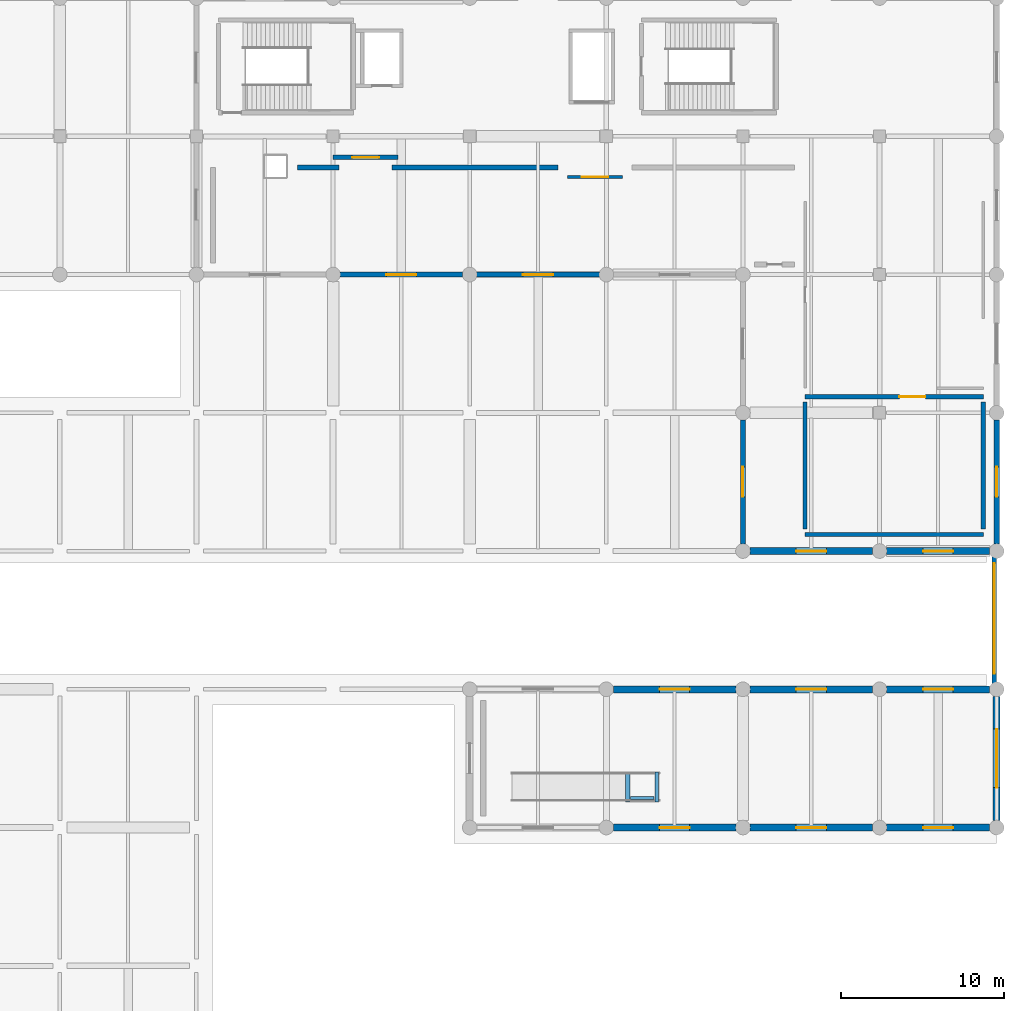
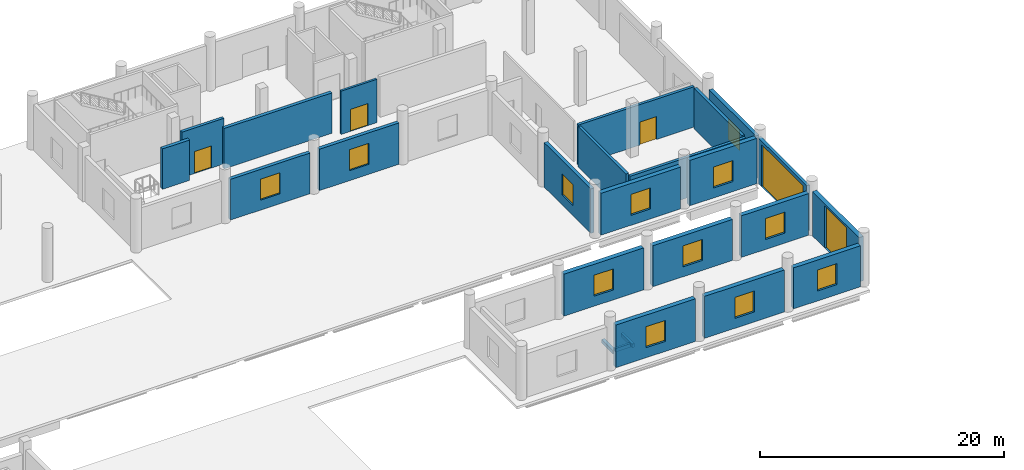
# One storey, part 94 of 107: 25 walls, 12 windows, 5 doors, 17 openings.
"""IFC4 building model written with IfcOpenShell, lengths in metres."""

from ifc_helpers import new_model, si_unit, direction, frame, frame_2d, origin, place, context, subcontext, project, spatial, rectangle, extrude, material, layer, layer_set, type_object, element, fill, save


model = new_model("IFC4")

# Units and contexts
model_context = context("Model", 3, precision=1e-05, world=origin(), true_north=direction((0.0, 1.0)))
body_context = subcontext(model_context, "Body", "Model", "MODEL_VIEW")
ifc_project = project(units=[si_unit("LENGTHUNIT", "METRE"), si_unit("AREAUNIT", "SQUARE_METRE"), si_unit("VOLUMEUNIT", "CUBIC_METRE"), si_unit("PLANEANGLEUNIT", "RADIAN"), si_unit("MASSUNIT", "GRAM", prefix="KILO")], contexts=[model_context])

# Site, building, storey
site_placement = place(None, origin())
site = spatial("IfcSite", under=ifc_project, at=site_placement, CompositionType="ELEMENT")
building_placement = place(site_placement, origin())
building = spatial("IfcBuilding", under=site, at=building_placement, Name="Solvento Point Concert Hall", CompositionType="ELEMENT")
storey_placement = place(building_placement, origin())
storey = spatial("IfcBuildingStorey", under=building, at=storey_placement, Name="L00", CompositionType="ELEMENT", Elevation=0.0)

# Wall, opening, door
ifc_material_1 = material(Name="Acoustic Double-Stud Gypsum Partition")
ifc_layer_1 = layer(ifc_material_1, 0.2080078125)
ifc_layer_set_1 = layer_set([ifc_layer_1], Name="Acoustic Double-Stud Gypsum Partition")
wall_type_1 = type_object("IfcWallType", Name="AcousticPartition_208", PredefinedType="PARTITIONING", material=ifc_layer_set_1)
wall_1_placement = place(storey_placement, frame((189.60009765625, 125.0, 0.0), z_axis=(0.0, 0.0, 1.0), x_axis=(1.0, 0.0, 0.0)))
wall_1 = element("IfcWall", 1, at=wall_1_placement, inside=storey, type_object=wall_type_1, Name="Lift lobby partition LG-02 L00", PredefinedType="PARTITIONING", context=body_context, shape_type="SweptSolid", body=[
    extrude(rectangle(XDim=3.39990234375, YDim=0.2080078125, at=frame_2d((1.699951171875, 0.0))), origin(), (0.0, 0.0, 1.0), 4.333984375),
])
opening_1_placement = place(wall_1_placement, frame((0.875, 0.0, 0.0)))
opening_1 = element("IfcOpeningElement", 2, at=opening_1_placement, cuts=wall_1, Name="Opening D-FL1", PredefinedType="OPENING", context=body_context, shape_type="SweptSolid", body=[
    extrude(rectangle(XDim=1.64990234375, YDim=2.199951171875, at=frame_2d((0.824951171875, 1.10009765625))), frame((0.0, 0.114013671875, 0.0), z_axis=(0.0, -1.0, 0.0), x_axis=(1.0, 0.0, 0.0)), (0.0, 0.0, 1.0), 0.22802734375),
])
ifc_material_2 = material(Name="Hollow Metal Acoustic Fire Door")
door_type_1 = type_object("IfcDoorType", Name="FireLobbyDoor_1600", OperationType="DOUBLE_DOOR_SINGLE_SWING", PredefinedType="DOOR", material=ifc_material_2)
door_1_placement = place(opening_1_placement, origin())
door_1 = element("IfcDoor", 3, at=door_1_placement, inside=storey, type_object=door_type_1, Name="Lift lobby door LG-02 L00", OperationType="DOUBLE_DOOR_SINGLE_SWING", OverallHeight=2.199951171875, OverallWidth=1.64990234375, PredefinedType="DOOR", context=body_context, shape_type="SweptSolid", body=[
    extrude(rectangle(XDim=1.64990234375, YDim=2.199951171875, at=frame_2d((0.824951171875, 1.10009765625))), frame((0.0, 0.02490234375, 0.0), z_axis=(0.0, -1.0, 0.0), x_axis=(1.0, 0.0, 0.0)), (0.0, 0.0, 1.0), 0.050048828125),
])
fill(opening_1, door_1)

ifc_material_3 = material(Name="Acoustic Double-Stud Gypsum Partition")
ifc_layer_2 = layer(ifc_material_3, 0.264892578125)
ifc_layer_set_2 = layer_set([ifc_layer_2], Name="Acoustic Double-Stud Gypsum Partition")
wall_type_2 = type_object("IfcWallType", Name="AcousticPartition_265", PredefinedType="PARTITIONING", material=ifc_layer_set_2)
wall_2_placement = place(storey_placement, frame((204.219970703125, 111.47998046875, 0.0), z_axis=(0.0, 0.0, 1.0), x_axis=(1.0, 0.0, 0.0)))
wall_2 = element("IfcWall", 4, at=wall_2_placement, inside=storey, type_object=wall_type_2, Name="Interior acoustic partition PW-68 L00", PredefinedType="PARTITIONING", context=body_context, shape_type="SweptSolid", body=[
    extrude(rectangle(XDim=10.9599609375, YDim=0.264892578125, at=frame_2d((5.47998046875, 0.0))), origin(), (0.0, 0.0, 1.0), 4.0400390625),
])
opening_2_placement = place(wall_2_placement, frame((5.80322265625, 0.0, 0.0)))
opening_2 = element("IfcOpeningElement", 5, at=opening_2_placement, cuts=wall_2, Name="Opening DR-40", PredefinedType="OPENING", context=body_context, shape_type="SweptSolid", body=[
    extrude(rectangle(XDim=1.60009765625, YDim=2.300048828125, at=frame_2d((0.800048828125, 1.14990234375))), frame((0.0, 0.142333984375, 0.0), z_axis=(0.0, -1.0, 0.0), x_axis=(1.0, 0.0, 0.0)), (0.0, 0.0, 1.0), 0.284912109375),
])
ifc_material_4 = material(Name="Brazilian Hardwood Acoustic Door", Category="wood")
door_type_2 = type_object("IfcDoorType", Name="IntDoor_ArchiveFD90", OperationType="NOTDEFINED", PredefinedType="DOOR", material=ifc_material_4)
door_2_placement = place(opening_2_placement, origin())
door_2 = element("IfcDoor", 6, at=door_2_placement, inside=storey, type_object=door_type_2, Name="Interior door DR-40 L00", OperationType="SINGLE_SWING_RIGHT", OverallHeight=2.300048828125, OverallWidth=1.60009765625, PredefinedType="DOOR", context=body_context, shape_type="SweptSolid", body=[
    extrude(rectangle(XDim=1.60009765625, YDim=2.300048828125, at=frame_2d((0.800048828125, 1.14990234375))), frame((0.0, 0.02490234375, 0.0), z_axis=(0.0, -1.0, 0.0), x_axis=(1.0, 0.0, 0.0)), (0.0, 0.0, 1.0), 0.050048828125),
])
fill(opening_2, door_2)

# Walls
wall_3_placement = place(storey_placement, frame((215.179931640625, 103.02001953125, 0.0), z_axis=(0.0, 0.0, 1.0), x_axis=(-1.0, 0.0, 0.0)))
element("IfcWall", 7, at=wall_3_placement, inside=storey, type_object=wall_type_2, Name="Interior acoustic partition PW-68 L00", PredefinedType="PARTITIONING", context=body_context, shape_type="SweptSolid", body=[
    extrude(rectangle(XDim=10.9599609375, YDim=0.264892578125, at=frame_2d((5.47998046875, 0.0))), origin(), (0.0, 0.0, 1.0), 4.0400390625),
])
for number, where, z_axis, x_axis, name in (
    (8, (215.179931640625, 111.159912109375, 0.0), (0.0, 0.0, 1.0), (0.0, -1.0, 0.0), "Interior acoustic partition PW-68 L00"),
    (9, (204.219970703125, 103.340087890625, 0.0), (0.0, 0.0, 1.0), (0.0, 1.0, 0.0), "Interior acoustic partition PW-68 L00"),
):
    element("IfcWall", number, at=place(storey_placement, frame(where, z_axis=z_axis, x_axis=x_axis)), inside=storey, type_object=wall_type_2, Name=name, PredefinedType="PARTITIONING", context=body_context, shape_type="SweptSolid", body=[
        extrude(rectangle(XDim=7.81982421875, YDim=0.264892578125, at=frame_2d((3.909912109375, 0.0))), origin(), (0.0, 0.0, 1.0), 4.0400390625),
    ])
ifc_material_5 = material(Name="Acoustic Double-Stud Gypsum Partition")
ifc_layer_3 = layer(ifc_material_5, 0.31494140625)
ifc_layer_set_3 = layer_set([ifc_layer_3], Name="Acoustic Double-Stud Gypsum Partition")
wall_type_3 = type_object("IfcWallType", Name="AcousticPartition_315", PredefinedType="PARTITIONING", material=ifc_layer_set_3)
wall_4_placement = place(storey_placement, frame((173.0, 125.580078125, 0.0), z_axis=(0.0, 0.0, 1.0), x_axis=(1.0, 0.0, 0.0)))
element("IfcWall", 10, at=wall_4_placement, inside=storey, type_object=wall_type_3, Name="Interior acoustic partition PW-18 L00", PredefinedType="PARTITIONING", context=body_context, shape_type="SweptSolid", body=[
    extrude(rectangle(XDim=2.5654296875, YDim=0.31494140625, at=frame_2d((1.28271484375, 0.0))), origin(), (0.0, 0.0, 1.0), 4.0400390625),
])
wall_5_placement = place(storey_placement, frame((178.834716796875, 125.580078125, 0.0), z_axis=(0.0, 0.0, 1.0), x_axis=(1.0, 0.0, 0.0)))
element("IfcWall", 11, at=wall_5_placement, inside=storey, type_object=wall_type_3, Name="Interior acoustic partition PW-18 L00", PredefinedType="PARTITIONING", context=body_context, shape_type="SweptSolid", body=[
    extrude(rectangle(XDim=10.1953125, YDim=0.31494140625, at=frame_2d((5.09765625, 0.0))), origin(), (0.0, 0.0, 1.0), 4.0400390625),
])
ifc_material_6 = material(Name="Concrete C40/50", Category="concrete")
ifc_layer_4 = layer(ifc_material_6, 0.300048828125)
ifc_layer_set_4 = layer_set([ifc_layer_4], Name="Concrete C40/50")
wall_type_4 = type_object("IfcWallType", Name="CoreShearWall_300", PredefinedType="SHEAR", material=ifc_layer_set_4)
wall_6_placement = place(storey_placement, frame((193.320068359375, 86.580078125, 0.0), z_axis=(0.0, 0.0, 1.0), x_axis=(0.0, 1.0, 0.0)))
element("IfcWall", 12, at=wall_6_placement, inside=storey, type_object=wall_type_4, Name="Ramp landing stem wall W-SH1 RMP-H4", PredefinedType="SHEAR", context=body_context, shape_type="SweptSolid", body=[
    extrude(rectangle(XDim=1.83984375, YDim=0.280029296875, at=frame_2d((0.919921875, 0.0))), origin(), (0.0, 0.0, 1.0), 0.3701171875),
])
wall_7_placement = place(storey_placement, frame((195.110107421875, 86.580078125, 0.0), z_axis=(0.0, 0.0, 1.0), x_axis=(0.0, 1.0, 0.0)))
element("IfcWall", 13, at=wall_7_placement, inside=storey, type_object=wall_type_4, Name="Ramp landing stem wall W-SH1 RMP-H4", PredefinedType="SHEAR", context=body_context, shape_type="SweptSolid", body=[
    extrude(rectangle(XDim=1.83984375, YDim=0.219970703125, at=frame_2d((0.919921875, 0.0))), origin(), (0.0, 0.0, 1.0), 0.3701171875),
])
wall_8_placement = place(storey_placement, frame((193.5, 86.820068359375, 0.0), z_axis=(0.0, 0.0, 1.0), x_axis=(1.0, 0.0, 0.0)))
element("IfcWall", 14, at=wall_8_placement, inside=storey, type_object=wall_type_4, Name="Ramp landing stem wall W-SH1 RMP-H4", PredefinedType="SHEAR", context=body_context, shape_type="SweptSolid", body=[
    extrude(rectangle(XDim=1.429931640625, YDim=0.199951171875, at=frame_2d((0.71484375, 0.0))), origin(), (0.0, 0.0, 1.0), 0.3701171875),
])

# Wall, opening, door
ifc_material_7 = material(Name="Concrete C40/50", Category="concrete")
ifc_layer_5 = layer(ifc_material_7, 0.35009765625)
ifc_layer_set_5 = layer_set([ifc_layer_5], Name="Concrete C40/50")
wall_type_5 = type_object("IfcWallType", Name="CoreShearWall_350", PredefinedType="SHEAR", material=ifc_layer_set_5)
wall_9_placement = place(storey_placement, frame((175.199951171875, 126.199951171875, 0.0), z_axis=(0.0, 0.0, 1.0), x_axis=(1.0, 0.0, 0.0)))
wall_9 = element("IfcWall", 15, at=wall_9_placement, inside=storey, type_object=wall_type_5, Name="Firefighting lift lobby wall LF-01 L00", PredefinedType="SHEAR", context=body_context, shape_type="SweptSolid", body=[
    extrude(rectangle(XDim=4.0, YDim=0.280029296875, at=frame_2d((2.0, 0.0))), origin(), (0.0, 0.0, 1.0), 4.554931640625),
])
opening_3_placement = place(wall_9_placement, frame((1.175048828125, 0.0, 0.0)))
opening_3 = element("IfcOpeningElement", 16, at=opening_3_placement, cuts=wall_9, Name="Opening D-FL1", PredefinedType="OPENING", context=body_context, shape_type="SweptSolid", body=[
    extrude(rectangle(XDim=1.64990234375, YDim=2.199951171875, at=frame_2d((0.824951171875, 1.10009765625))), frame((0.0, 0.14990234375, 0.0), z_axis=(0.0, -1.0, 0.0), x_axis=(1.0, 0.0, 0.0)), (0.0, 0.0, 1.0), 0.300048828125),
])
door_3_placement = place(opening_3_placement, origin())
door_3 = element("IfcDoor", 17, at=door_3_placement, inside=storey, type_object=door_type_1, Name="Firefighting lobby door LF-01 L00", OperationType="DOUBLE_DOOR_SINGLE_SWING", OverallHeight=2.199951171875, OverallWidth=1.64990234375, PredefinedType="DOOR", context=body_context, shape_type="SweptSolid", body=[
    extrude(rectangle(XDim=1.64990234375, YDim=2.199951171875, at=frame_2d((0.824951171875, 1.10009765625))), frame((0.0, 0.02490234375, 0.0), z_axis=(0.0, -1.0, 0.0), x_axis=(1.0, 0.0, 0.0)), (0.0, 0.0, 1.0), 0.050048828125),
])
fill(opening_3, door_3)

# Wall, opening, window
ifc_material_8 = material(Name="Concrete C35/45", Category="concrete")
ifc_layer_6 = layer(ifc_material_8, 0.429931640625)
ifc_layer_set_6 = layer_set([ifc_layer_6], Name="Concrete C35/45")
wall_type_6 = type_object("IfcWallType", Name="ExtWall_V5_Dock_430", PredefinedType="SOLIDWALL", material=ifc_layer_set_6)
wall_10_placement = place(storey_placement, frame((192.429931640625, 93.5, 0.0), z_axis=(0.0, 0.0, 1.0), x_axis=(1.0, 0.0, 0.0)))
wall_10 = element("IfcWall", 18, at=wall_10_placement, inside=storey, type_object=wall_type_6, Name="Exterior architectural concrete wall EW-11 L00", PredefinedType="SOLIDWALL", context=body_context, shape_type="SweptSolid", body=[
    extrude(rectangle(XDim=7.5400390625, YDim=0.429931640625, at=frame_2d((3.77001953125, 0.0))), origin(), (0.0, 0.0, 1.0), 4.197021484375),
])
opening_4_placement = place(wall_10_placement, frame((2.844970703125, 0.0, 1.0)))
opening_4 = element("IfcOpeningElement", 19, at=opening_4_placement, cuts=wall_10, Name="Opening WN-36", PredefinedType="OPENING", context=body_context, shape_type="SweptSolid", body=[
    extrude(rectangle(XDim=1.85009765625, YDim=2.10009765625, at=frame_2d((0.925048828125, 1.050048828125))), frame((0.0, 0.224853515625, 0.0), z_axis=(0.0, -1.0, 0.0), x_axis=(1.0, 0.0, 0.0)), (0.0, 0.0, 1.0), 0.449951171875),
])
ifc_material_9 = material(Name="Hurricane Laminated Low-E Glass", Category="glass")
window_type = type_object("IfcWindowType", Name="Win_V5_Workshop_L00", PartitioningType="SINGLE_PANEL", PredefinedType="WINDOW", material=ifc_material_9)
window_1_placement = place(opening_4_placement, origin())
window_1 = element("IfcWindow", 20, at=window_1_placement, inside=storey, type_object=window_type, Name="Impact acoustic window WN-36", OverallHeight=2.10009765625, OverallWidth=1.85009765625, PartitioningType="SINGLE_PANEL", PredefinedType="WINDOW", context=body_context, shape_type="SweptSolid", body=[
    extrude(rectangle(XDim=1.85009765625, YDim=2.10009765625, at=frame_2d((0.925048828125, 1.050048828125))), frame((0.0, 0.030029296875, 0.0), z_axis=(0.0, -1.0, 0.0), x_axis=(1.0, 0.0, 0.0)), (0.0, 0.0, 1.0), 0.06005859375),
])
fill(opening_4, window_1)

wall_11_placement = place(storey_placement, frame((200.830078125, 93.5, 0.0), z_axis=(0.0, 0.0, 1.0), x_axis=(1.0, 0.0, 0.0)))
wall_11 = element("IfcWall", 21, at=wall_11_placement, inside=storey, type_object=wall_type_6, Name="Exterior architectural concrete wall EW-11 L00", PredefinedType="SOLIDWALL", context=body_context, shape_type="SweptSolid", body=[
    extrude(rectangle(XDim=7.5400390625, YDim=0.429931640625, at=frame_2d((3.77001953125, 0.0))), origin(), (0.0, 0.0, 1.0), 4.097900390625),
])
opening_5_placement = place(wall_11_placement, frame((2.844970703125, 0.0, 1.0)))
opening_5 = element("IfcOpeningElement", 22, at=opening_5_placement, cuts=wall_11, Name="Opening WN-36", PredefinedType="OPENING", context=body_context, shape_type="SweptSolid", body=[
    extrude(rectangle(XDim=1.85009765625, YDim=2.10009765625, at=frame_2d((0.925048828125, 1.050048828125))), frame((0.0, 0.224853515625, 0.0), z_axis=(0.0, -1.0, 0.0), x_axis=(1.0, 0.0, 0.0)), (0.0, 0.0, 1.0), 0.449951171875),
])
window_2_placement = place(opening_5_placement, origin())
window_2 = element("IfcWindow", 23, at=window_2_placement, inside=storey, type_object=window_type, Name="Impact acoustic window WN-36", OverallHeight=2.10009765625, OverallWidth=1.85009765625, PartitioningType="SINGLE_PANEL", PredefinedType="WINDOW", context=body_context, shape_type="SweptSolid", body=[
    extrude(rectangle(XDim=1.85009765625, YDim=2.10009765625, at=frame_2d((0.925048828125, 1.050048828125))), frame((0.0, 0.030029296875, 0.0), z_axis=(0.0, -1.0, 0.0), x_axis=(1.0, 0.0, 0.0)), (0.0, 0.0, 1.0), 0.06005859375),
])
fill(opening_5, window_2)

wall_12_placement = place(storey_placement, frame((209.22998046875, 93.5, 0.0), z_axis=(0.0, 0.0, 1.0), x_axis=(1.0, 0.0, 0.0)))
wall_12 = element("IfcWall", 24, at=wall_12_placement, inside=storey, type_object=wall_type_6, Name="Exterior architectural concrete wall EW-11 L00", PredefinedType="SOLIDWALL", context=body_context, shape_type="SweptSolid", body=[
    extrude(rectangle(XDim=6.340087890625, YDim=0.429931640625, at=frame_2d((3.169921875, 0.0))), origin(), (0.0, 0.0, 1.0), 4.1640625),
])
opening_6_placement = place(wall_12_placement, frame((2.2451171875, 0.0, 1.0)))
opening_6 = element("IfcOpeningElement", 25, at=opening_6_placement, cuts=wall_12, Name="Opening WN-36", PredefinedType="OPENING", context=body_context, shape_type="SweptSolid", body=[
    extrude(rectangle(XDim=1.85009765625, YDim=2.10009765625, at=frame_2d((0.925048828125, 1.050048828125))), frame((0.0, 0.224853515625, 0.0), z_axis=(0.0, -1.0, 0.0), x_axis=(1.0, 0.0, 0.0)), (0.0, 0.0, 1.0), 0.449951171875),
])
window_3_placement = place(opening_6_placement, origin())
window_3 = element("IfcWindow", 26, at=window_3_placement, inside=storey, type_object=window_type, Name="Impact acoustic window WN-36", OverallHeight=2.10009765625, OverallWidth=1.85009765625, PartitioningType="SINGLE_PANEL", PredefinedType="WINDOW", context=body_context, shape_type="SweptSolid", body=[
    extrude(rectangle(XDim=1.85009765625, YDim=2.10009765625, at=frame_2d((0.925048828125, 1.050048828125))), frame((0.0, 0.030029296875, 0.0), z_axis=(0.0, -1.0, 0.0), x_axis=(1.0, 0.0, 0.0)), (0.0, 0.0, 1.0), 0.06005859375),
])
fill(opening_6, window_3)

# Wall, opening, door
wall_13_placement = place(storey_placement, frame((216.0, 93.070068359375, 0.0), z_axis=(0.0, 0.0, 1.0), x_axis=(0.0, -1.0, 0.0)))
wall_13 = element("IfcWall", 27, at=wall_13_placement, inside=storey, type_object=wall_type_6, Name="Exterior architectural concrete wall EW-11 L00", PredefinedType="SOLIDWALL", context=body_context, shape_type="SweptSolid", body=[
    extrude(rectangle(XDim=7.64013671875, YDim=0.429931640625, at=frame_2d((3.820068359375, 0.0))), origin(), (0.0, 0.0, 1.0), 4.430908203125),
])
opening_7_placement = place(wall_13_placement, frame((2.02001953125, 0.0, 0.0)))
opening_7 = element("IfcOpeningElement", 28, at=opening_7_placement, cuts=wall_13, Name="Opening LD-DCK1", PredefinedType="OPENING", context=body_context, shape_type="SweptSolid", body=[
    extrude(rectangle(XDim=3.60009765625, YDim=4.199951171875, at=frame_2d((1.800048828125, 2.10009765625))), frame((0.0, 0.224853515625, 0.0), z_axis=(0.0, -1.0, 0.0), x_axis=(1.0, 0.0, 0.0)), (0.0, 0.0, 1.0), 0.449951171875),
])
ifc_material_10 = material(Name="Hollow Metal Acoustic Fire Door")
door_type_3 = type_object("IfcDoorType", Name="DockShutter_DCK1", OperationType="ROLLINGUP", PredefinedType="DOOR", material=ifc_material_10)
door_4_placement = place(opening_7_placement, origin())
door_4 = element("IfcDoor", 29, at=door_4_placement, inside=storey, type_object=door_type_3, Name="Acoustic semi-truck loading dock roller shutter door", OperationType="ROLLINGUP", OverallHeight=4.199951171875, OverallWidth=3.60009765625, PredefinedType="DOOR", context=body_context, shape_type="SweptSolid", body=[
    extrude(rectangle(XDim=3.60009765625, YDim=4.199951171875, at=frame_2d((1.800048828125, 2.10009765625))), frame((0.0, 0.02490234375, 0.0), z_axis=(0.0, -1.0, 0.0), x_axis=(1.0, 0.0, 0.0)), (0.0, 0.0, 1.0), 0.050048828125),
])
fill(opening_7, door_4)

# Wall, opening, window
wall_14_placement = place(storey_placement, frame((199.969970703125, 85.0, 0.0), z_axis=(0.0, 0.0, 1.0), x_axis=(-1.0, 0.0, 0.0)))
wall_14 = element("IfcWall", 30, at=wall_14_placement, inside=storey, type_object=wall_type_6, Name="Exterior architectural concrete wall EW-11 L00", PredefinedType="SOLIDWALL", context=body_context, shape_type="SweptSolid", body=[
    extrude(rectangle(XDim=7.5400390625, YDim=0.429931640625, at=frame_2d((3.77001953125, 0.0))), origin(), (0.0, 0.0, 1.0), 4.264892578125),
])
opening_8_placement = place(wall_14_placement, frame((2.844970703125, 0.0, 1.0)))
opening_8 = element("IfcOpeningElement", 31, at=opening_8_placement, cuts=wall_14, Name="Opening WN-36", PredefinedType="OPENING", context=body_context, shape_type="SweptSolid", body=[
    extrude(rectangle(XDim=1.85009765625, YDim=2.10009765625, at=frame_2d((0.925048828125, 1.050048828125))), frame((0.0, 0.224853515625, 0.0), z_axis=(0.0, -1.0, 0.0), x_axis=(1.0, 0.0, 0.0)), (0.0, 0.0, 1.0), 0.449951171875),
])
window_4_placement = place(opening_8_placement, origin())
window_4 = element("IfcWindow", 32, at=window_4_placement, inside=storey, type_object=window_type, Name="Impact acoustic window WN-36", OverallHeight=2.10009765625, OverallWidth=1.85009765625, PartitioningType="SINGLE_PANEL", PredefinedType="WINDOW", context=body_context, shape_type="SweptSolid", body=[
    extrude(rectangle(XDim=1.85009765625, YDim=2.10009765625, at=frame_2d((0.925048828125, 1.050048828125))), frame((0.0, 0.030029296875, 0.0), z_axis=(0.0, -1.0, 0.0), x_axis=(1.0, 0.0, 0.0)), (0.0, 0.0, 1.0), 0.06005859375),
])
fill(opening_8, window_4)

wall_15_placement = place(storey_placement, frame((208.3701171875, 85.0, 0.0), z_axis=(0.0, 0.0, 1.0), x_axis=(-1.0, 0.0, 0.0)))
wall_15 = element("IfcWall", 33, at=wall_15_placement, inside=storey, type_object=wall_type_6, Name="Exterior architectural concrete wall EW-11 L00", PredefinedType="SOLIDWALL", context=body_context, shape_type="SweptSolid", body=[
    extrude(rectangle(XDim=7.5400390625, YDim=0.429931640625, at=frame_2d((3.77001953125, 0.0))), origin(), (0.0, 0.0, 1.0), 4.197021484375),
])
opening_9_placement = place(wall_15_placement, frame((2.844970703125, 0.0, 1.0)))
opening_9 = element("IfcOpeningElement", 34, at=opening_9_placement, cuts=wall_15, Name="Opening WN-36", PredefinedType="OPENING", context=body_context, shape_type="SweptSolid", body=[
    extrude(rectangle(XDim=1.85009765625, YDim=2.10009765625, at=frame_2d((0.925048828125, 1.050048828125))), frame((0.0, 0.224853515625, 0.0), z_axis=(0.0, -1.0, 0.0), x_axis=(1.0, 0.0, 0.0)), (0.0, 0.0, 1.0), 0.449951171875),
])
window_5_placement = place(opening_9_placement, origin())
window_5 = element("IfcWindow", 35, at=window_5_placement, inside=storey, type_object=window_type, Name="Impact acoustic window WN-36", OverallHeight=2.10009765625, OverallWidth=1.85009765625, PartitioningType="SINGLE_PANEL", PredefinedType="WINDOW", context=body_context, shape_type="SweptSolid", body=[
    extrude(rectangle(XDim=1.85009765625, YDim=2.10009765625, at=frame_2d((0.925048828125, 1.050048828125))), frame((0.0, 0.030029296875, 0.0), z_axis=(0.0, -1.0, 0.0), x_axis=(1.0, 0.0, 0.0)), (0.0, 0.0, 1.0), 0.06005859375),
])
fill(opening_9, window_5)

wall_16_placement = place(storey_placement, frame((215.570068359375, 85.0, 0.0), z_axis=(0.0, 0.0, 1.0), x_axis=(-1.0, 0.0, 0.0)))
wall_16 = element("IfcWall", 36, at=wall_16_placement, inside=storey, type_object=wall_type_6, Name="Exterior architectural concrete wall EW-11 L00", PredefinedType="SOLIDWALL", context=body_context, shape_type="SweptSolid", body=[
    extrude(rectangle(XDim=6.340087890625, YDim=0.429931640625, at=frame_2d((3.169921875, 0.0))), origin(), (0.0, 0.0, 1.0), 4.097900390625),
])
opening_10_placement = place(wall_16_placement, frame((2.2451171875, 0.0, 1.0)))
opening_10 = element("IfcOpeningElement", 37, at=opening_10_placement, cuts=wall_16, Name="Opening WN-36", PredefinedType="OPENING", context=body_context, shape_type="SweptSolid", body=[
    extrude(rectangle(XDim=1.85009765625, YDim=2.10009765625, at=frame_2d((0.925048828125, 1.050048828125))), frame((0.0, 0.224853515625, 0.0), z_axis=(0.0, -1.0, 0.0), x_axis=(1.0, 0.0, 0.0)), (0.0, 0.0, 1.0), 0.449951171875),
])
window_6_placement = place(opening_10_placement, origin())
window_6 = element("IfcWindow", 38, at=window_6_placement, inside=storey, type_object=window_type, Name="Impact acoustic window WN-36", OverallHeight=2.10009765625, OverallWidth=1.85009765625, PartitioningType="SINGLE_PANEL", PredefinedType="WINDOW", context=body_context, shape_type="SweptSolid", body=[
    extrude(rectangle(XDim=1.85009765625, YDim=2.10009765625, at=frame_2d((0.925048828125, 1.050048828125))), frame((0.0, 0.030029296875, 0.0), z_axis=(0.0, -1.0, 0.0), x_axis=(1.0, 0.0, 0.0)), (0.0, 0.0, 1.0), 0.06005859375),
])
fill(opening_10, window_6)

wall_17_placement = place(storey_placement, frame((208.3701171875, 102.0, 0.0), z_axis=(0.0, 0.0, 1.0), x_axis=(-1.0, 0.0, 0.0)))
wall_17 = element("IfcWall", 39, at=wall_17_placement, inside=storey, type_object=wall_type_6, Name="Exterior architectural concrete wall EW-11 L00", PredefinedType="SOLIDWALL", context=body_context, shape_type="SweptSolid", body=[
    extrude(rectangle(XDim=7.5400390625, YDim=0.429931640625, at=frame_2d((3.77001953125, 0.0))), origin(), (0.0, 0.0, 1.0), 4.18408203125),
])
opening_11_placement = place(wall_17_placement, frame((2.844970703125, 0.0, 1.0)))
opening_11 = element("IfcOpeningElement", 40, at=opening_11_placement, cuts=wall_17, Name="Opening WN-36", PredefinedType="OPENING", context=body_context, shape_type="SweptSolid", body=[
    extrude(rectangle(XDim=1.85009765625, YDim=2.10009765625, at=frame_2d((0.925048828125, 1.050048828125))), frame((0.0, 0.224853515625, 0.0), z_axis=(0.0, -1.0, 0.0), x_axis=(1.0, 0.0, 0.0)), (0.0, 0.0, 1.0), 0.449951171875),
])
window_7_placement = place(opening_11_placement, origin())
window_7 = element("IfcWindow", 41, at=window_7_placement, inside=storey, type_object=window_type, Name="Impact acoustic window WN-36", OverallHeight=2.10009765625, OverallWidth=1.85009765625, PartitioningType="SINGLE_PANEL", PredefinedType="WINDOW", context=body_context, shape_type="SweptSolid", body=[
    extrude(rectangle(XDim=1.85009765625, YDim=2.10009765625, at=frame_2d((0.925048828125, 1.050048828125))), frame((0.0, 0.030029296875, 0.0), z_axis=(0.0, -1.0, 0.0), x_axis=(1.0, 0.0, 0.0)), (0.0, 0.0, 1.0), 0.06005859375),
])
fill(opening_11, window_7)

wall_18_placement = place(storey_placement, frame((215.570068359375, 102.0, 0.0), z_axis=(0.0, 0.0, 1.0), x_axis=(-1.0, 0.0, 0.0)))
wall_18 = element("IfcWall", 42, at=wall_18_placement, inside=storey, type_object=wall_type_6, Name="Exterior architectural concrete wall EW-11 L00", PredefinedType="SOLIDWALL", context=body_context, shape_type="SweptSolid", body=[
    extrude(rectangle(XDim=6.340087890625, YDim=0.429931640625, at=frame_2d((3.169921875, 0.0))), origin(), (0.0, 0.0, 1.0), 4.535888671875),
])
opening_12_placement = place(wall_18_placement, frame((2.2451171875, 0.0, 1.0)))
opening_12 = element("IfcOpeningElement", 43, at=opening_12_placement, cuts=wall_18, Name="Opening WN-36", PredefinedType="OPENING", context=body_context, shape_type="SweptSolid", body=[
    extrude(rectangle(XDim=1.85009765625, YDim=2.10009765625, at=frame_2d((0.925048828125, 1.050048828125))), frame((0.0, 0.224853515625, 0.0), z_axis=(0.0, -1.0, 0.0), x_axis=(1.0, 0.0, 0.0)), (0.0, 0.0, 1.0), 0.449951171875),
])
window_8_placement = place(opening_12_placement, origin())
window_8 = element("IfcWindow", 44, at=window_8_placement, inside=storey, type_object=window_type, Name="Impact acoustic window WN-36", OverallHeight=2.10009765625, OverallWidth=1.85009765625, PartitioningType="SINGLE_PANEL", PredefinedType="WINDOW", context=body_context, shape_type="SweptSolid", body=[
    extrude(rectangle(XDim=1.85009765625, YDim=2.10009765625, at=frame_2d((0.925048828125, 1.050048828125))), frame((0.0, 0.030029296875, 0.0), z_axis=(0.0, -1.0, 0.0), x_axis=(1.0, 0.0, 0.0)), (0.0, 0.0, 1.0), 0.06005859375),
])
fill(opening_12, window_8)

ifc_material_11 = material(Name="Concrete C35/45", Category="concrete")
ifc_layer_7 = layer(ifc_material_11, 0.330078125)
ifc_layer_set_7 = layer_set([ifc_layer_7], Name="Concrete C35/45")
wall_type_7 = type_object("IfcWallType", Name="ExtWall_V5_Plinth_330", PredefinedType="SOLIDWALL", material=ifc_layer_set_7)
wall_19_placement = place(storey_placement, frame((216.0, 110.070068359375, 0.0), z_axis=(0.0, 0.0, 1.0), x_axis=(0.0, -1.0, 0.0)))
wall_19 = element("IfcWall", 45, at=wall_19_placement, inside=storey, type_object=wall_type_7, Name="Exterior architectural concrete wall EW-72 L00", PredefinedType="SOLIDWALL", context=body_context, shape_type="SweptSolid", body=[
    extrude(rectangle(XDim=7.64013671875, YDim=0.330078125, at=frame_2d((3.820068359375, 0.0))), origin(), (0.0, 0.0, 1.0), 4.284912109375),
])
opening_13_placement = place(wall_19_placement, frame((2.89501953125, 0.0, 1.0)))
opening_13 = element("IfcOpeningElement", 46, at=opening_13_placement, cuts=wall_19, Name="Opening WN-36", PredefinedType="OPENING", context=body_context, shape_type="SweptSolid", body=[
    extrude(rectangle(XDim=1.85009765625, YDim=2.10009765625, at=frame_2d((0.925048828125, 1.050048828125))), frame((0.0, 0.175048828125, 0.0), z_axis=(0.0, -1.0, 0.0), x_axis=(1.0, 0.0, 0.0)), (0.0, 0.0, 1.0), 0.35009765625),
])
window_9_placement = place(opening_13_placement, origin())
window_9 = element("IfcWindow", 47, at=window_9_placement, inside=storey, type_object=window_type, Name="Impact acoustic window WN-36", OverallHeight=2.10009765625, OverallWidth=1.85009765625, PartitioningType="SINGLE_PANEL", PredefinedType="WINDOW", context=body_context, shape_type="SweptSolid", body=[
    extrude(rectangle(XDim=1.85009765625, YDim=2.10009765625, at=frame_2d((0.925048828125, 1.050048828125))), frame((0.0, 0.030029296875, 0.0), z_axis=(0.0, -1.0, 0.0), x_axis=(1.0, 0.0, 0.0)), (0.0, 0.0, 1.0), 0.06005859375),
])
fill(opening_13, window_9)

wall_20_placement = place(storey_placement, frame((200.39990234375, 102.429931640625, 0.0), z_axis=(0.0, 0.0, 1.0), x_axis=(0.0, 1.0, 0.0)))
wall_20 = element("IfcWall", 48, at=wall_20_placement, inside=storey, type_object=wall_type_7, Name="Exterior architectural concrete wall EW-72 L00", PredefinedType="SOLIDWALL", context=body_context, shape_type="SweptSolid", body=[
    extrude(rectangle(XDim=7.64013671875, YDim=0.330078125, at=frame_2d((3.820068359375, 0.0))), origin(), (0.0, 0.0, 1.0), 4.450927734375),
])
opening_14_placement = place(wall_20_placement, frame((2.89501953125, 0.0, 1.0)))
opening_14 = element("IfcOpeningElement", 49, at=opening_14_placement, cuts=wall_20, Name="Opening WN-36", PredefinedType="OPENING", context=body_context, shape_type="SweptSolid", body=[
    extrude(rectangle(XDim=1.85009765625, YDim=2.10009765625, at=frame_2d((0.925048828125, 1.050048828125))), frame((0.0, 0.175048828125, 0.0), z_axis=(0.0, -1.0, 0.0), x_axis=(1.0, 0.0, 0.0)), (0.0, 0.0, 1.0), 0.35009765625),
])
window_10_placement = place(opening_14_placement, origin())
window_10 = element("IfcWindow", 50, at=window_10_placement, inside=storey, type_object=window_type, Name="Impact acoustic window WN-36", OverallHeight=2.10009765625, OverallWidth=1.85009765625, PartitioningType="SINGLE_PANEL", PredefinedType="WINDOW", context=body_context, shape_type="SweptSolid", body=[
    extrude(rectangle(XDim=1.85009765625, YDim=2.10009765625, at=frame_2d((0.925048828125, 1.050048828125))), frame((0.0, 0.030029296875, 0.0), z_axis=(0.0, -1.0, 0.0), x_axis=(1.0, 0.0, 0.0)), (0.0, 0.0, 1.0), 0.06005859375),
])
fill(opening_14, window_10)

wall_21_placement = place(storey_placement, frame((183.169921875, 119.0, 0.0), z_axis=(0.0, 0.0, 1.0), x_axis=(-1.0, 0.0, 0.0)))
wall_21 = element("IfcWall", 51, at=wall_21_placement, inside=storey, type_object=wall_type_7, Name="Exterior architectural concrete wall EW-72 L00", PredefinedType="SOLIDWALL", context=body_context, shape_type="SweptSolid", body=[
    extrude(rectangle(XDim=7.5400390625, YDim=0.330078125, at=frame_2d((3.77001953125, 0.0))), origin(), (0.0, 0.0, 1.0), 4.077880859375),
])
opening_15_placement = place(wall_21_placement, frame((2.844970703125, 0.0, 1.0)))
opening_15 = element("IfcOpeningElement", 52, at=opening_15_placement, cuts=wall_21, Name="Opening WN-36", PredefinedType="OPENING", context=body_context, shape_type="SweptSolid", body=[
    extrude(rectangle(XDim=1.85009765625, YDim=2.10009765625, at=frame_2d((0.925048828125, 1.050048828125))), frame((0.0, 0.175048828125, 0.0), z_axis=(0.0, -1.0, 0.0), x_axis=(1.0, 0.0, 0.0)), (0.0, 0.0, 1.0), 0.35009765625),
])
window_11_placement = place(opening_15_placement, origin())
window_11 = element("IfcWindow", 53, at=window_11_placement, inside=storey, type_object=window_type, Name="Impact acoustic window WN-36", OverallHeight=2.10009765625, OverallWidth=1.85009765625, PartitioningType="SINGLE_PANEL", PredefinedType="WINDOW", context=body_context, shape_type="SweptSolid", body=[
    extrude(rectangle(XDim=1.85009765625, YDim=2.10009765625, at=frame_2d((0.925048828125, 1.050048828125))), frame((0.0, 0.030029296875, 0.0), z_axis=(0.0, -1.0, 0.0), x_axis=(1.0, 0.0, 0.0)), (0.0, 0.0, 1.0), 0.06005859375),
])
fill(opening_15, window_11)

wall_22_placement = place(storey_placement, frame((191.570068359375, 119.0, 0.0), z_axis=(0.0, 0.0, 1.0), x_axis=(-1.0, 0.0, 0.0)))
wall_22 = element("IfcWall", 54, at=wall_22_placement, inside=storey, type_object=wall_type_7, Name="Exterior architectural concrete wall EW-72 L00", PredefinedType="SOLIDWALL", context=body_context, shape_type="SweptSolid", body=[
    extrude(rectangle(XDim=7.5400390625, YDim=0.330078125, at=frame_2d((3.77001953125, 0.0))), origin(), (0.0, 0.0, 1.0), 4.14404296875),
])
opening_16_placement = place(wall_22_placement, frame((2.844970703125, 0.0, 1.0)))
opening_16 = element("IfcOpeningElement", 55, at=opening_16_placement, cuts=wall_22, Name="Opening WN-36", PredefinedType="OPENING", context=body_context, shape_type="SweptSolid", body=[
    extrude(rectangle(XDim=1.85009765625, YDim=2.10009765625, at=frame_2d((0.925048828125, 1.050048828125))), frame((0.0, 0.175048828125, 0.0), z_axis=(0.0, -1.0, 0.0), x_axis=(1.0, 0.0, 0.0)), (0.0, 0.0, 1.0), 0.35009765625),
])
window_12_placement = place(opening_16_placement, origin())
window_12 = element("IfcWindow", 56, at=window_12_placement, inside=storey, type_object=window_type, Name="Impact acoustic window WN-36", OverallHeight=2.10009765625, OverallWidth=1.85009765625, PartitioningType="SINGLE_PANEL", PredefinedType="WINDOW", context=body_context, shape_type="SweptSolid", body=[
    extrude(rectangle(XDim=1.85009765625, YDim=2.10009765625, at=frame_2d((0.925048828125, 1.050048828125))), frame((0.0, 0.030029296875, 0.0), z_axis=(0.0, -1.0, 0.0), x_axis=(1.0, 0.0, 0.0)), (0.0, 0.0, 1.0), 0.06005859375),
])
fill(opening_16, window_12)

# Wall, opening, door
ifc_material_12 = material(Name="Concrete C40/50", Category="concrete")
ifc_layer_8 = layer(ifc_material_12, 0.300048828125)
ifc_layer_set_8 = layer_set([ifc_layer_8], Name="Concrete C40/50")
wall_type_8 = type_object("IfcWallType", Name="ExtWall_White_300", PredefinedType="SOLIDWALL", material=ifc_layer_set_8)
wall_23_placement = place(storey_placement, frame((215.85009765625, 93.85009765625, 0.0), z_axis=(0.0, 0.0, 1.0), x_axis=(0.0, 1.0, 0.0)))
wall_23 = element("IfcWall", 57, at=wall_23_placement, inside=storey, type_object=wall_type_8, Name="Exterior architectural concrete wall W-27 L00", PredefinedType="SOLIDWALL", context=body_context, shape_type="SweptSolid", body=[
    extrude(rectangle(XDim=8.0, YDim=0.300048828125, at=frame_2d((4.0, 0.0))), origin(), (0.0, 0.0, 1.0), 4.550048828125),
])
opening_17_placement = place(wall_23_placement, frame((0.60009765625, 0.0, 0.0)))
opening_17 = element("IfcOpeningElement", 58, at=opening_17_placement, cuts=wall_23, Name="Opening VG-01", PredefinedType="OPENING", context=body_context, shape_type="SweptSolid", body=[
    extrude(rectangle(XDim=6.800048828125, YDim=4.199951171875, at=frame_2d((3.39990234375, 2.10009765625))), frame((0.0, 0.159912109375, 0.0), z_axis=(0.0, -1.0, 0.0), x_axis=(1.0, 0.0, 0.0)), (0.0, 0.0, 1.0), 0.320068359375),
])
ifc_material_13 = material(Name="Hollow Metal Acoustic Fire Door")
door_type_4 = type_object("IfcDoorType", Name="VehicleShutter_VG01", OperationType="ROLLINGUP", PredefinedType="DOOR", material=ifc_material_13)
door_5_placement = place(opening_17_placement, origin())
door_5 = element("IfcDoor", 59, at=door_5_placement, inside=storey, type_object=door_type_4, Name="Motorized insulated roller shutter vehicle ramp gate VG-01", OperationType="ROLLINGUP", OverallHeight=4.199951171875, OverallWidth=6.800048828125, PredefinedType="DOOR", context=body_context, shape_type="SweptSolid", body=[
    extrude(rectangle(XDim=6.800048828125, YDim=4.199951171875, at=frame_2d((3.39990234375, 2.10009765625))), frame((0.0, 0.02490234375, 0.0), z_axis=(0.0, -1.0, 0.0), x_axis=(1.0, 0.0, 0.0)), (0.0, 0.0, 1.0), 0.050048828125),
])
fill(opening_17, door_5)

save(model, "model.ifc")
